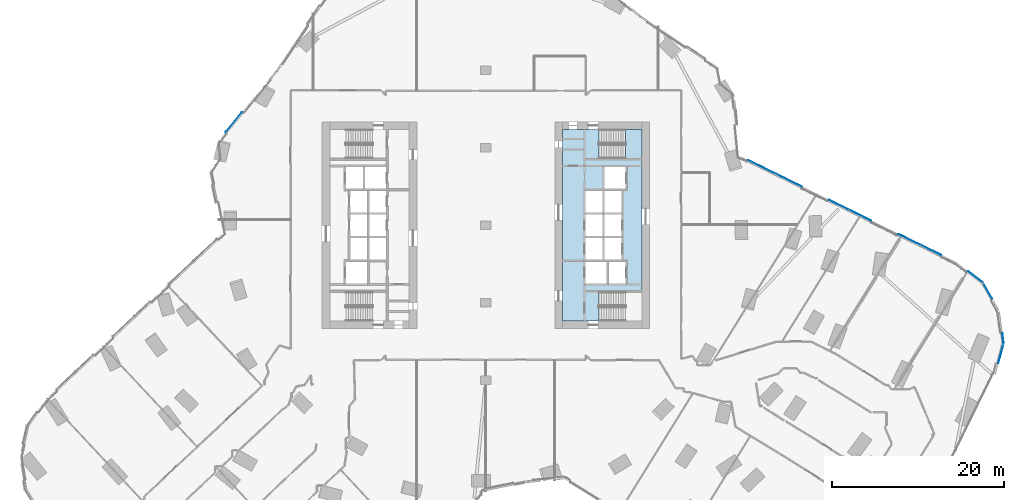
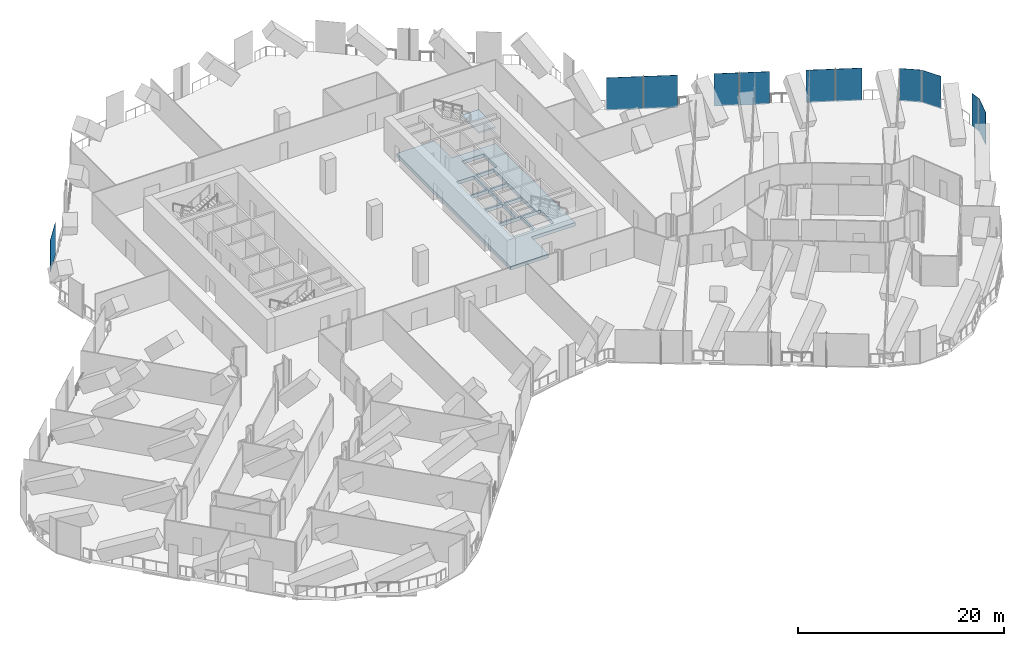
# One storey, part 19 of 31: 11 plates, 2 slabs, 7 elements without a shape of their own.
"""IFC4 building model written with IfcOpenShell, lengths in metres."""

from ifc_helpers import new_model, si_unit, direction, frame, origin, origin_2d, place, context, subcontext, project, spatial, polyline, rectangle, outline, extrude, material, layer, layer_set, type_object, element, aggregate, save


model = new_model("IFC4")

# Units and contexts
model_context = context("Model", 3, precision=1e-05, world=origin(), true_north=direction((0.0, 1.0)))
body_context = subcontext(model_context, "Body", "Model", "MODEL_VIEW")
ifc_project = project(units=[si_unit("LENGTHUNIT", "METRE"), si_unit("AREAUNIT", "SQUARE_METRE"), si_unit("VOLUMEUNIT", "CUBIC_METRE"), si_unit("PLANEANGLEUNIT", "RADIAN"), si_unit("MASSUNIT", "GRAM", prefix="KILO")], contexts=[model_context])

# Site, building, storey
site_placement = place(None, origin())
site = spatial("IfcSite", under=ifc_project, at=site_placement, CompositionType="ELEMENT")
building_placement = place(site_placement, origin())
building = spatial("IfcBuilding", under=site, at=building_placement, Name="Orlundy Tower", CompositionType="ELEMENT")
storey_placement = place(building_placement, frame((0.0, 0.0, 54.800048828125)))
storey = spatial("IfcBuildingStorey", under=building, at=storey_placement, Name="L12", CompositionType="ELEMENT", Elevation=54.800048828125)

# Curtain wall, plate
ifc_material_1 = material(Name="Aluminium bronze anodised", Category="aluminium")
curtain_wall_type = type_object("IfcCurtainWallType", Name="CW5 wall", PredefinedType="NOTDEFINED", material=ifc_material_1)
curtain_wall_1_placement = place(storey_placement, origin())
curtain_wall_1 = element("IfcCurtainWall", 1, at=curtain_wall_1_placement, inside=storey, type_object=curtain_wall_type, Name="CW5 run 016", PredefinedType="NOTDEFINED")
ifc_material_2 = material(Name="Tinted glass", Category="glass")
ifc_layer_1 = layer(ifc_material_2, 0.031982421875)
ifc_layer_set_1 = layer_set([ifc_layer_1], Name="CW5 glass panel 32")
plate_type_1 = type_object("IfcPlateType", Name="CW5 glass panel 32", PredefinedType="CURTAIN_PANEL", material=ifc_layer_set_1)
plate_1_placement = place(storey_placement, frame((-29.232177734375, 11.9482421875, -0.26025390625), z_axis=(0.0, 0.0, 1.0), x_axis=(0.633830209633, 0.773472213694, 0.0)))
plate_1 = element("IfcPlate", 2, at=plate_1_placement, type_object=plate_type_1, Name="CW5 panel", PredefinedType="CURTAIN_PANEL", context=body_context, shape_type="SweptSolid", body=[
    extrude(rectangle(XDim=2.941650390625, YDim=0.031982421875, at=origin_2d()), origin(), (0.0, 0.0, 1.0), 3.860107421875),
])
aggregate(curtain_wall_1, [plate_1])

# Curtain wall, plates
curtain_wall_2_placement = place(storey_placement, origin())
curtain_wall_2 = element("IfcCurtainWall", 3, at=curtain_wall_2_placement, inside=storey, type_object=curtain_wall_type, Name="CW5 run 029", PredefinedType="NOTDEFINED")
plate_2_placement = place(storey_placement, frame((32.033935546875, 6.749267578125, -0.26025390625), z_axis=(0.0, 0.0, 1.0), x_axis=(0.897515293004, -0.440983331684, 0.0)))
plate_2 = element("IfcPlate", 4, at=plate_2_placement, type_object=plate_type_1, Name="CW5 panel", PredefinedType="CURTAIN_PANEL", context=body_context, shape_type="SweptSolid", body=[
    extrude(rectangle(XDim=3.55859375, YDim=0.031982421875, at=origin_2d()), origin(), (0.0, 0.0, 1.0), 3.860107421875),
])
plate_3_placement = place(storey_placement, frame((35.15380859375, 5.216064453125, -0.26025390625), z_axis=(0.0, 0.0, 1.0), x_axis=(0.897515293004, -0.440983331684, 0.0)))
plate_3 = element("IfcPlate", 5, at=plate_3_placement, type_object=plate_type_1, Name="CW5 panel", PredefinedType="CURTAIN_PANEL", context=body_context, shape_type="SweptSolid", body=[
    extrude(rectangle(XDim=3.2939453125, YDim=0.031982421875, at=origin_2d()), origin(), (0.0, 0.0, 1.0), 3.860107421875),
])
plate_4_placement = place(storey_placement, frame((43.384033203125, 1.17236328125, -0.26025390625), z_axis=(0.0, 0.0, 1.0), x_axis=(0.897515293004, -0.440983331684, 0.0)))
plate_4 = element("IfcPlate", 6, at=plate_4_placement, type_object=plate_type_1, Name="CW5 panel", PredefinedType="CURTAIN_PANEL", context=body_context, shape_type="SweptSolid", body=[
    extrude(rectangle(XDim=2.896728515625, YDim=0.031982421875, at=origin_2d()), origin(), (0.0, 0.0, 1.0), 3.860107421875),
])
plate_5_placement = place(storey_placement, frame((49.161865234375, -1.66650390625, -0.26025390625), z_axis=(0.0, 0.0, 1.0), x_axis=(0.897515293004, -0.440983331684, 0.0)))
plate_5 = element("IfcPlate", 7, at=plate_5_placement, type_object=plate_type_1, Name="CW5 panel", PredefinedType="CURTAIN_PANEL", context=body_context, shape_type="SweptSolid", body=[
    extrude(rectangle(XDim=2.864990234375, YDim=0.031982421875, at=origin_2d()), origin(), (0.0, 0.0, 1.0), 3.860107421875),
])

# Curtain wall, plate
curtain_wall_3_placement = place(storey_placement, origin())
curtain_wall_3 = element("IfcCurtainWall", 8, at=curtain_wall_3_placement, inside=storey, type_object=curtain_wall_type, Name="CW5 run 030", PredefinedType="NOTDEFINED")
plate_6_placement = place(storey_placement, frame((56.810546875, -6.004638671875, -0.26025390625), z_axis=(0.0, 0.0, 1.0), x_axis=(0.794265929863, -0.607570269729, 0.0)))
plate_6 = element("IfcPlate", 9, at=plate_6_placement, type_object=plate_type_1, Name="CW5 panel", PredefinedType="CURTAIN_PANEL", context=body_context, shape_type="SweptSolid", body=[
    extrude(rectangle(XDim=2.18408203125, YDim=0.031982421875, at=origin_2d()), origin(), (0.0, 0.0, 1.0), 3.860107421875),
])
aggregate(curtain_wall_3, [plate_6])

curtain_wall_4_placement = place(storey_placement, origin())
curtain_wall_4 = element("IfcCurtainWall", 10, at=curtain_wall_4_placement, inside=storey, type_object=curtain_wall_type, Name="CW5 run 031", PredefinedType="NOTDEFINED")
plate_7_placement = place(storey_placement, frame((58.211181640625, -7.5888671875, -0.26025390625), z_axis=(0.0, 0.0, 1.0), x_axis=(0.501185126223, -0.865340088782, 0.0)))
plate_7 = element("IfcPlate", 11, at=plate_7_placement, type_object=plate_type_1, Name="CW5 panel", PredefinedType="CURTAIN_PANEL", context=body_context, shape_type="SweptSolid", body=[
    extrude(rectangle(XDim=2.128173828125, YDim=0.031982421875, at=origin_2d()), origin(), (0.0, 0.0, 1.0), 3.860107421875),
])
aggregate(curtain_wall_4, [plate_7])

curtain_wall_5_placement = place(storey_placement, origin())
curtain_wall_5 = element("IfcCurtainWall", 12, at=curtain_wall_5_placement, inside=storey, type_object=curtain_wall_type, Name="CW5 run 033", PredefinedType="NOTDEFINED")
plate_8_placement = place(storey_placement, frame((59.760009765625, -14.854248046875, -0.26025390625), z_axis=(0.0, 0.0, 1.0), x_axis=(-0.257360406209, -0.966315487466, 0.0)))
plate_8 = element("IfcPlate", 13, at=plate_8_placement, type_object=plate_type_1, Name="CW5 panel", PredefinedType="CURTAIN_PANEL", context=body_context, shape_type="SweptSolid", body=[
    extrude(rectangle(XDim=2.417724609375, YDim=0.031982421875, at=origin_2d()), origin(), (0.0, 0.0, 1.0), 3.860107421875),
])
aggregate(curtain_wall_5, [plate_8])

# Plate
ifc_material_3 = material(Name="Tinted glass", Category="glass")
ifc_layer_2 = layer(ifc_material_3, 0.031982421875)
ifc_layer_set_2 = layer_set([ifc_layer_2], Name="CW5 vent panel 32")
plate_type_2 = type_object("IfcPlateType", Name="CW5 vent panel 32", PredefinedType="CURTAIN_PANEL", material=ifc_layer_set_2)
plate_9_placement = place(storey_placement, frame((40.93017578125, 2.378173828125, -0.26025390625), z_axis=(0.0, 0.0, 1.0), x_axis=(0.897515293004, -0.440983331684, 0.0)))
plate_9 = element("IfcPlate", 14, at=plate_9_placement, type_object=plate_type_2, Name="CW5 panel", PredefinedType="CURTAIN_PANEL", context=body_context, shape_type="SweptSolid", body=[
    extrude(rectangle(XDim=2.471435546875, YDim=0.031982421875, at=origin_2d()), origin(), (0.0, 0.0, 1.0), 3.860107421875),
])

plate_10_placement = place(storey_placement, frame((51.6435546875, -2.8857421875, -0.26025390625), z_axis=(0.0, 0.0, 1.0), x_axis=(0.897515293004, -0.440983331684, 0.0)))
plate_10 = element("IfcPlate", 15, at=plate_10_placement, type_object=plate_type_2, Name="CW5 panel", PredefinedType="CURTAIN_PANEL", context=body_context, shape_type="SweptSolid", body=[
    extrude(rectangle(XDim=2.5654296875, YDim=0.031982421875, at=origin_2d()), origin(), (0.0, 0.0, 1.0), 3.860107421875),
])

aggregate(curtain_wall_2, [plate_2, plate_3, plate_9, plate_4, plate_5, plate_10])

# Curtain wall, plate
curtain_wall_6_placement = place(storey_placement, origin())
curtain_wall_6 = element("IfcCurtainWall", 16, at=curtain_wall_6_placement, inside=storey, type_object=curtain_wall_type, Name="CW5 run 032", PredefinedType="NOTDEFINED")
plate_11_placement = place(storey_placement, frame((59.99560546875, -13.1171875, -0.26025390625), z_axis=(0.0, 0.0, 1.0), x_axis=(0.131933971093, -0.991258506784, 0.0)))
plate_11 = element("IfcPlate", 17, at=plate_11_placement, type_object=plate_type_2, Name="CW5 panel", PredefinedType="CURTAIN_PANEL", context=body_context, shape_type="SweptSolid", body=[
    extrude(rectangle(XDim=1.147705078125, YDim=0.031982421875, at=origin_2d()), origin(), (0.0, 0.0, 1.0), 3.860107421875),
])
aggregate(curtain_wall_6, [plate_11])

# Slab
ifc_material_4 = material(Name="Concrete C50/60", Category="concrete")
ifc_layer_3 = layer(ifc_material_4, 0.409912109375)
ifc_layer_set_3 = layer_set([ifc_layer_3], Name="Core Floor Slab 410")
slab_type_1 = type_object("IfcSlabType", Name="Core Floor Slab 410", PredefinedType="FLOOR", material=ifc_layer_set_3)
slab_1_placement = place(storey_placement, frame((0.0, 0.0, -0.41015625)))
element("IfcSlab", 18, at=slab_1_placement, inside=storey, type_object=slab_type_1, Name="Core floor E11", PredefinedType="FLOOR", context=body_context, shape_type="SweptSolid", body=[
    extrude(outline(polyline([(13.14501953125, -7.75), (13.14501953125, -11.10009765625), (8.89990234375, -11.10009765625), (8.89990234375, 11.10009765625), (13.14501953125, 11.10009765625), (13.14501953125, 7.75), (18.10009765625, 7.75), (18.10009765625, -7.75), (13.14501953125, -7.75)]), holes=[polyline([(16.239990234375, 6.77490234375), (13.739990234375, 6.77490234375), (13.739990234375, 4.22509765625), (16.239990234375, 4.22509765625), (16.239990234375, 6.77490234375)]), polyline([(13.5400390625, 1.47509765625), (13.5400390625, 4.02490234375), (11.5400390625, 4.02490234375), (11.5400390625, 1.47509765625), (13.5400390625, 1.47509765625)]), polyline([(13.739990234375, 1.47509765625), (15.739990234375, 1.47509765625), (15.739990234375, 4.02490234375), (13.739990234375, 4.02490234375), (13.739990234375, 1.47509765625)]), polyline([(11.5400390625, 1.27490234375), (11.5400390625, -1.27490234375), (13.5400390625, -1.27490234375), (13.5400390625, 1.27490234375), (11.5400390625, 1.27490234375)]), polyline([(15.739990234375, 1.27490234375), (13.739990234375, 1.27490234375), (13.739990234375, -1.27490234375), (15.739990234375, -1.27490234375), (15.739990234375, 1.27490234375)]), polyline([(13.5400390625, -4.02490234375), (13.5400390625, -1.47509765625), (11.5400390625, -1.47509765625), (11.5400390625, -4.02490234375), (13.5400390625, -4.02490234375)]), polyline([(13.739990234375, -4.02490234375), (15.739990234375, -4.02490234375), (15.739990234375, -1.47509765625), (13.739990234375, -1.47509765625), (13.739990234375, -4.02490234375)]), polyline([(11.5400390625, -4.22509765625), (11.5400390625, -6.77490234375), (14.0400390625, -6.77490234375), (14.0400390625, -4.22509765625), (11.5400390625, -4.22509765625)]), polyline([(16.239990234375, -4.22509765625), (14.239990234375, -4.22509765625), (14.239990234375, -6.77490234375), (16.239990234375, -6.77490234375), (16.239990234375, -4.22509765625)])]), origin(), (0.0, 0.0, 1.0), 0.41015625),
])

# Stair, slab
ifc_material_5 = material(Name="Concrete C50/60", Category="concrete")
stair_type = type_object("IfcStairType", Name="Exit Stair 24 risers", PredefinedType="HALF_TURN_STAIR", material=ifc_material_5)
stair_placement = place(storey_placement, origin())
stair = element("IfcStair", 19, at=stair_placement, inside=storey, type_object=stair_type, Name="L12 Exit Stair ST-E2", PredefinedType="HALF_TURN_STAIR")
ifc_material_6 = material(Name="Concrete C50/60", Category="concrete")
ifc_layer_4 = layer(ifc_material_6, 0.199951171875)
ifc_layer_set_4 = layer_set([ifc_layer_4], Name="Exit Stair Landing")
slab_type_2 = type_object("IfcSlabType", Name="Exit Stair Landing", PredefinedType="LANDING", material=ifc_layer_set_4)
slab_2_placement = place(storey_placement, frame((0.0, 0.0, 1.800048828125)))
slab_2 = element("IfcSlab", 20, at=slab_2_placement, type_object=slab_type_2, Name="ST-E2 landing 1", PredefinedType="LANDING", context=body_context, shape_type="SweptSolid", body=[
    extrude(outline(polyline([(16.219970703125, 7.75), (18.10009765625, 7.75), (18.10009765625, 11.10009765625), (16.219970703125, 11.10009765625), (16.219970703125, 7.75)])), origin(), (0.0, 0.0, 1.0), 0.199951171875),
])
aggregate(stair, [slab_2])

save(model, "model.ifc")
